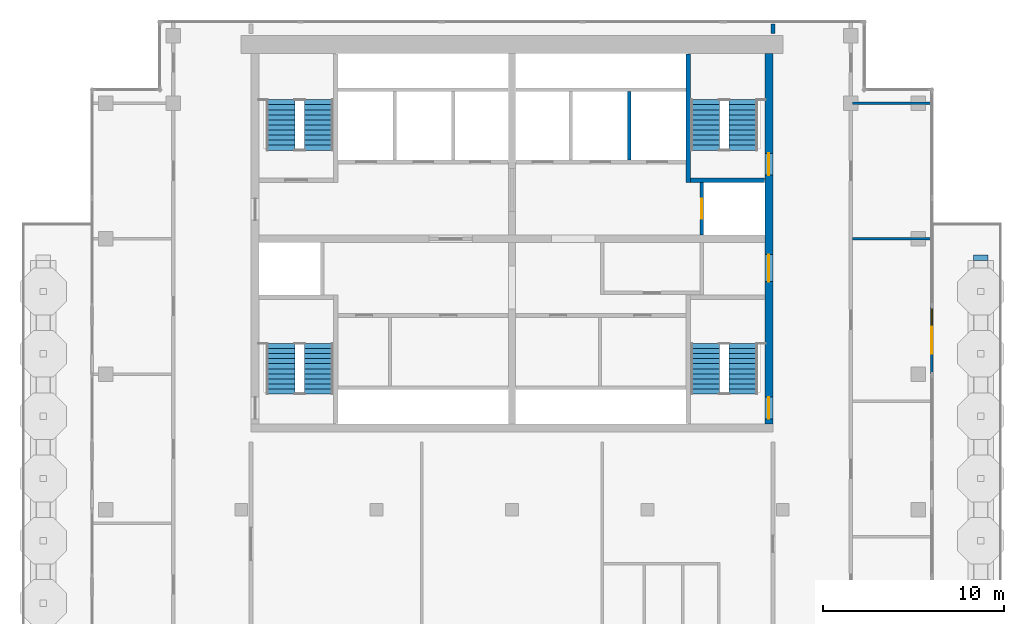
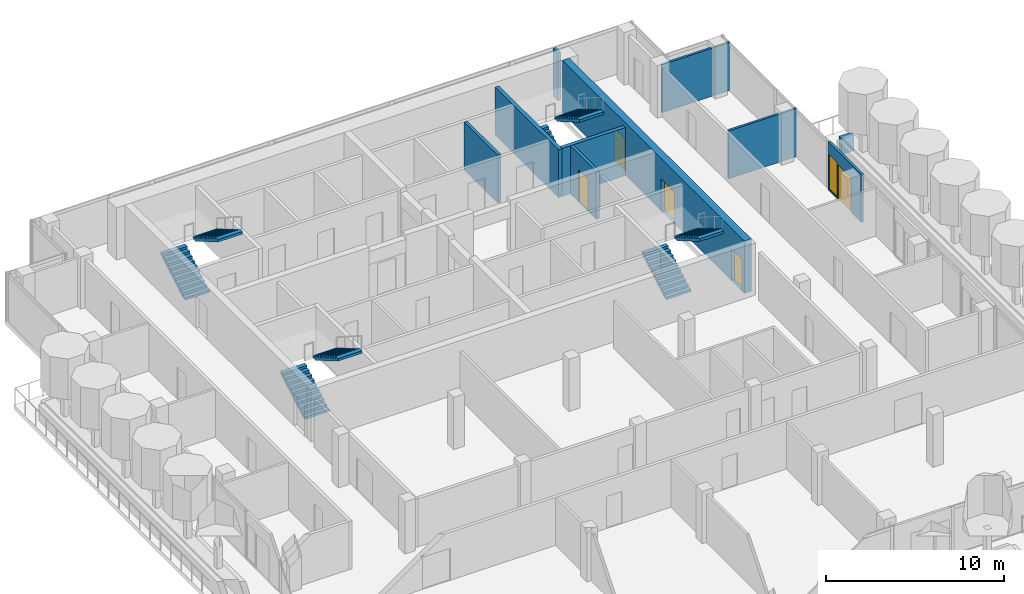
# One storey, part 9 of 12: 10 walls, 8 stair flights, 5 doors, 1 window, 6 openings, 4 elements without a shape of their own.
"""IFC4 building model written with IfcOpenShell, lengths in metres."""

from ifc_helpers import new_model, si_unit, direction, frame, frame_2d, origin, place, context, subcontext, project, spatial, polyline, rectangle, outline, extrude, material, layer, layer_set, type_object, element, fill, aggregate, save


model = new_model("IFC4")

# Units and contexts
model_context = context("Model", 3, precision=1e-05, world=origin(), true_north=direction((0.0, 1.0)))
body_context = subcontext(model_context, "Body", "Model", "MODEL_VIEW")
ifc_project = project(units=[si_unit("LENGTHUNIT", "METRE"), si_unit("AREAUNIT", "SQUARE_METRE"), si_unit("VOLUMEUNIT", "CUBIC_METRE"), si_unit("PLANEANGLEUNIT", "RADIAN"), si_unit("MASSUNIT", "GRAM", prefix="KILO")], contexts=[model_context])

# Site, building, storey
site_placement = place(None, origin())
site = spatial("IfcSite", under=ifc_project, at=site_placement, CompositionType="ELEMENT")
building_placement = place(site_placement, origin())
building = spatial("IfcBuilding", under=site, at=building_placement, Name="Pilkhan Gate Tower", CompositionType="ELEMENT")
storey_placement = place(building_placement, frame((0.0, 0.0, 258.5)))
storey = spatial("IfcBuildingStorey", under=building, at=storey_placement, Name="L67", CompositionType="ELEMENT", Elevation=258.5)

# Wall, openings, doors
ifc_material_1 = material(Name="Concrete C50/60", Category="concrete")
ifc_layer_1 = layer(ifc_material_1, 0.449951171875)
ifc_layer_set_1 = layer_set([ifc_layer_1], Name="Core wall CW450 C50/60")
wall_type_1 = type_object("IfcWallType", Name="Core wall CW450 C50/60", PredefinedType="SHEAR", material=ifc_layer_set_1)
wall_1_placement = place(storey_placement, frame((89.22509765625, 72.25, 0.0), z_axis=(0.0, 0.0, 1.0), x_axis=(0.0, 1.0, 0.0)))
wall_1 = element("IfcWall", 1, at=wall_1_placement, inside=storey, type_object=wall_type_1, Name="Core wall E L67", PredefinedType="SHEAR", context=body_context, shape_type="SweptSolid", body=[
    extrude(rectangle(XDim=20.5, YDim=0.449951171875, at=frame_2d((10.25, 0.0))), origin(), (0.0, 0.0, 1.0), 3.60009765625),
])
opening_1_placement = place(wall_1_placement, frame((0.27490234375, 0.0, 0.0)))
opening_1 = element("IfcOpeningElement", 2, at=opening_1_placement, cuts=wall_1, Name="Opening L67-03", PredefinedType="OPENING", context=body_context, shape_type="SweptSolid", body=[
    extrude(rectangle(XDim=1.199951171875, YDim=2.199951171875, at=frame_2d((0.60009765625, 1.10009765625))), frame((0.0, 0.23486328125, 0.0), z_axis=(0.0, -1.0, 0.0), x_axis=(1.0, 0.0, 0.0)), (0.0, 0.0, 1.0), 0.469970703125),
])
opening_2_placement = place(wall_1_placement, frame((13.77490234375, 0.0, 0.0)))
opening_2 = element("IfcOpeningElement", 3, at=opening_2_placement, cuts=wall_1, Name="Opening L67-05", PredefinedType="OPENING", context=body_context, shape_type="SweptSolid", body=[
    extrude(rectangle(XDim=1.199951171875, YDim=2.199951171875, at=frame_2d((0.60009765625, 1.10009765625))), frame((0.0, 0.23486328125, 0.0), z_axis=(0.0, -1.0, 0.0), x_axis=(1.0, 0.0, 0.0)), (0.0, 0.0, 1.0), 0.469970703125),
])
opening_3_placement = place(wall_1_placement, frame((7.875, 0.0, 0.0)))
opening_3 = element("IfcOpeningElement", 4, at=opening_3_placement, cuts=wall_1, Name="Opening L67-08", PredefinedType="OPENING", context=body_context, shape_type="SweptSolid", body=[
    extrude(rectangle(XDim=1.5, YDim=2.199951171875, at=frame_2d((0.75, 1.10009765625))), frame((0.0, 0.23486328125, 0.0), z_axis=(0.0, -1.0, 0.0), x_axis=(1.0, 0.0, 0.0)), (0.0, 0.0, 1.0), 0.469970703125),
])
ifc_material_2 = material(Name="Steel framed glazed door, 60 minute fire resisting", Category="steel")
door_type_1 = type_object("IfcDoorType", Name="Lobby door D09 1500x2200", OperationType="DOUBLE_DOOR_SINGLE_SWING", PredefinedType="DOOR", material=ifc_material_2)
door_1_placement = place(opening_3_placement, origin())
door_1 = element("IfcDoor", 5, at=door_1_placement, inside=storey, type_object=door_type_1, Name="Core door", OperationType="DOUBLE_DOOR_SINGLE_SWING", OverallHeight=2.199951171875, OverallWidth=1.5, PredefinedType="DOOR", context=body_context, shape_type="SweptSolid", body=[
    extrude(rectangle(XDim=1.5, YDim=2.199951171875, at=frame_2d((0.75, 1.10009765625))), frame((0.0, 0.02490234375, 0.0), z_axis=(0.0, -1.0, 0.0), x_axis=(1.0, 0.0, 0.0)), (0.0, 0.0, 1.0), 0.050048828125),
])
fill(opening_3, door_1)
ifc_material_3 = material(Name="Steel door, 120 minute fire resisting, panic bar", Category="steel")
door_type_2 = type_object("IfcDoorType", Name="Stair door D11 1200x2200", OperationType="SINGLE_SWING_LEFT", PredefinedType="DOOR", material=ifc_material_3)
door_2_placement = place(opening_1_placement, origin())
door_2 = element("IfcDoor", 6, at=door_2_placement, inside=storey, type_object=door_type_2, Name="Stair ST1 door", OperationType="SINGLE_SWING_LEFT", OverallHeight=2.199951171875, OverallWidth=1.199951171875, PredefinedType="DOOR", context=body_context, shape_type="SweptSolid", body=[
    extrude(rectangle(XDim=1.199951171875, YDim=2.199951171875, at=frame_2d((0.60009765625, 1.10009765625))), frame((0.0, 0.02490234375, 0.0), z_axis=(0.0, -1.0, 0.0), x_axis=(1.0, 0.0, 0.0)), (0.0, 0.0, 1.0), 0.050048828125),
])
fill(opening_1, door_2)
door_3_placement = place(opening_2_placement, origin())
door_3 = element("IfcDoor", 7, at=door_3_placement, inside=storey, type_object=door_type_2, Name="Stair ST4 door", OperationType="SINGLE_SWING_RIGHT", OverallHeight=2.199951171875, OverallWidth=1.199951171875, PredefinedType="DOOR", context=body_context, shape_type="SweptSolid", body=[
    extrude(rectangle(XDim=1.199951171875, YDim=2.199951171875, at=frame_2d((0.60009765625, 1.10009765625))), frame((0.0, 0.02490234375, 0.0), z_axis=(0.0, -1.0, 0.0), x_axis=(1.0, 0.0, 0.0)), (0.0, 0.0, 1.0), 0.050048828125),
])
fill(opening_2, door_3)

# Wall
ifc_material_4 = material(Name="Dense blockwork", Category="masonry")
ifc_layer_2 = layer(ifc_material_4, 0.199951171875)
ifc_layer_set_2 = layer_set([ifc_layer_2], Name="Corridor wall FW200")
wall_type_2 = type_object("IfcWallType", Name="Corridor wall FW200", PredefinedType="PARTITIONING", material=ifc_layer_set_2)
wall_2_placement = place(storey_placement, frame((89.449951171875, 93.8701171875, 0.0), z_axis=(0.0, 0.0, 1.0), x_axis=(0.0, 1.0, 0.0)))
element("IfcWall", 8, at=wall_2_placement, inside=storey, type_object=wall_type_2, Name="Partition L67", PredefinedType="PARTITIONING", context=body_context, shape_type="SweptSolid", body=[
    extrude(rectangle(XDim=0.52490234375, YDim=0.199951171875, at=frame_2d((0.262451171875, 0.0))), origin(), (0.0, 0.0, 1.0), 3.300048828125),
])

# Wall, openings, door, window
ifc_material_5 = material(Name="Pale anodised aluminium, clear laminated glazing", Category="aluminium")
ifc_layer_3 = layer(ifc_material_5, 0.14990234375)
ifc_layer_set_3 = layer_set([ifc_layer_3], Name="Facade infill wall IW150")
wall_type_3 = type_object("IfcWallType", Name="Facade infill wall IW150", PredefinedType="SOLIDWALL", material=ifc_layer_set_3)
wall_3_placement = place(storey_placement, frame((98.25, 78.75, 0.0), z_axis=(0.0, 0.0, 1.0), x_axis=(0.0, -1.0, 0.0)))
wall_3 = element("IfcWall", 9, at=wall_3_placement, inside=storey, type_object=wall_type_3, Name="Infill wall L67 E", PredefinedType="SOLIDWALL", context=body_context, shape_type="SweptSolid", body=[
    extrude(rectangle(XDim=3.75, YDim=0.14990234375, at=frame_2d((1.875, 0.0))), origin(), (0.0, 0.0, 1.0), 3.300048828125),
])
opening_4_placement = place(wall_3_placement, frame((0.112548828125, 0.0, 0.10009765625)))
opening_4 = element("IfcOpeningElement", 10, at=opening_4_placement, cuts=wall_3, Name="Opening W1", PredefinedType="OPENING", context=body_context, shape_type="SweptSolid", body=[
    extrude(rectangle(XDim=0.89990234375, YDim=2.39990234375, at=frame_2d((0.449951171875, 1.199951171875))), frame((0.0, 0.0849609375, 0.0), z_axis=(0.0, -1.0, 0.0), x_axis=(1.0, 0.0, 0.0)), (0.0, 0.0, 1.0), 0.169921875),
])
opening_5_placement = place(wall_3_placement, frame((1.125, 0.0, 0.0)))
opening_5 = element("IfcOpeningElement", 11, at=opening_5_placement, cuts=wall_3, Name="Opening D5", PredefinedType="OPENING", context=body_context, shape_type="SweptSolid", body=[
    extrude(rectangle(XDim=1.5, YDim=2.39990234375, at=frame_2d((0.75, 1.199951171875))), frame((0.0, 0.0849609375, 0.0), z_axis=(0.0, -1.0, 0.0), x_axis=(1.0, 0.0, 0.0)), (0.0, 0.0, 1.0), 0.169921875),
])
ifc_material_6 = material(Name="Pale anodised aluminium, clear glazing", Category="aluminium")
door_type_3 = type_object("IfcDoorType", Name="Terrace door D5 1500x2400", OperationType="DOUBLE_DOOR_SINGLE_SWING", PredefinedType="DOOR", material=ifc_material_6)
door_4_placement = place(opening_5_placement, origin())
door_4 = element("IfcDoor", 12, at=door_4_placement, inside=storey, type_object=door_type_3, Name="Terrace door L67", OperationType="DOUBLE_DOOR_SINGLE_SWING", OverallHeight=2.39990234375, OverallWidth=1.5, PredefinedType="DOOR", context=body_context, shape_type="SweptSolid", body=[
    extrude(rectangle(XDim=1.5, YDim=2.39990234375, at=frame_2d((0.75, 1.199951171875))), frame((0.0, 0.02490234375, 0.0), z_axis=(0.0, -1.0, 0.0), x_axis=(1.0, 0.0, 0.0)), (0.0, 0.0, 1.0), 0.050048828125),
])
fill(opening_5, door_4)
ifc_material_7 = material(Name="Pale anodised aluminium, clear double glazing", Category="aluminium")
window_type = type_object("IfcWindowType", Name="Window W1 900x2400", PartitioningType="SINGLE_PANEL", PredefinedType="WINDOW", material=ifc_material_7)
window_placement = place(opening_4_placement, origin())
window = element("IfcWindow", 13, at=window_placement, inside=storey, type_object=window_type, Name="Window L67", OverallHeight=2.39990234375, OverallWidth=0.89990234375, PartitioningType="SINGLE_PANEL", PredefinedType="WINDOW", context=body_context, shape_type="SweptSolid", body=[
    extrude(rectangle(XDim=0.89990234375, YDim=2.39990234375, at=frame_2d((0.449951171875, 1.199951171875))), frame((0.0, 0.030029296875, 0.0), z_axis=(0.0, -1.0, 0.0), x_axis=(1.0, 0.0, 0.0)), (0.0, 0.0, 1.0), 0.06005859375),
])
fill(opening_4, window)

# Walls
ifc_material_8 = material(Name="Blockwork partition, plastered both sides", Category="masonry")
ifc_layer_4 = layer(ifc_material_8, 0.14990234375)
ifc_layer_set_4 = layer_set([ifc_layer_4], Name="Partition PW150")
wall_type_4 = type_object("IfcWallType", Name="Partition PW150", PredefinedType="PARTITIONING", material=ifc_layer_set_4)
for number, where, z_axis, x_axis, name in (
    (14, (93.85009765625, 82.5, 0.0), (0.0, 0.0, 1.0), (1.0, 0.0, 0.0), "Partition L67"),
    (15, (93.85009765625, 90.0, 0.0), (0.0, 0.0, 1.0), (1.0, 0.0, 0.0), "Partition L67"),
):
    element("IfcWall", number, at=place(storey_placement, frame(where, z_axis=z_axis, x_axis=x_axis)), inside=storey, type_object=wall_type_4, Name=name, PredefinedType="PARTITIONING", context=body_context, shape_type="SweptSolid", body=[
        extrude(rectangle(XDim=4.414794921875, YDim=0.14990234375, at=frame_2d((2.20751953125, 0.0))), origin(), (0.0, 0.0, 1.0), 3.300048828125),
    ])
ifc_material_9 = material(Name="Reinforced blockwork shaft wall, 120 minute fire resisting", Category="masonry")
ifc_layer_5 = layer(ifc_material_9, 0.199951171875)
ifc_layer_set_5 = layer_set([ifc_layer_5], Name="Shaft wall SW200")
wall_type_5 = type_object("IfcWallType", Name="Shaft wall SW200", PredefinedType="PARTITIONING", material=ifc_layer_set_5)
wall_4_placement = place(storey_placement, frame((81.5, 86.85009765625, 0.0), z_axis=(0.0, 0.0, 1.0), x_axis=(0.0, 1.0, 0.0)))
element("IfcWall", 16, at=wall_4_placement, inside=storey, type_object=wall_type_5, Name="Partition L67", PredefinedType="PARTITIONING", context=body_context, shape_type="SweptSolid", body=[
    extrude(rectangle(XDim=3.7998046875, YDim=0.199951171875, at=frame_2d((1.89990234375, 0.0))), origin(), (0.0, 0.0, 1.0), 3.300048828125),
])

# Wall, opening, door
wall_5_placement = place(storey_placement, frame((85.5, 82.7099609375, 0.0), z_axis=(0.0, 0.0, 1.0), x_axis=(0.0, 1.0, 0.0)))
wall_5 = element("IfcWall", 17, at=wall_5_placement, inside=storey, type_object=wall_type_5, Name="Partition L67", PredefinedType="PARTITIONING", context=body_context, shape_type="SweptSolid", body=[
    extrude(rectangle(XDim=2.9150390625, YDim=0.199951171875, at=frame_2d((1.45751953125, 0.0))), origin(), (0.0, 0.0, 1.0), 3.300048828125),
])
opening_6_placement = place(wall_5_placement, frame((0.89990234375, 0.0, 0.0)))
opening_6 = element("IfcOpeningElement", 18, at=opening_6_placement, cuts=wall_5, Name="Opening LD", PredefinedType="OPENING", context=body_context, shape_type="SweptSolid", body=[
    extrude(rectangle(XDim=1.10009765625, YDim=2.199951171875, at=frame_2d((0.550048828125, 1.10009765625))), frame((0.0, 0.10986328125, 0.0), z_axis=(0.0, -1.0, 0.0), x_axis=(1.0, 0.0, 0.0)), (0.0, 0.0, 1.0), 0.219970703125),
])
ifc_material_10 = material(Name="Stainless steel centre-opening landing door, 120 minute fire resisting", Category="steel")
door_type_4 = type_object("IfcDoorType", Name="Lift landing door LD 1100x2200", OperationType="DOUBLE_DOOR_SLIDING", PredefinedType="DOOR", material=ifc_material_10)
door_5_placement = place(opening_6_placement, origin())
door_5 = element("IfcDoor", 19, at=door_5_placement, inside=storey, type_object=door_type_4, Name="Landing door HR4", OperationType="DOUBLE_DOOR_SLIDING", OverallHeight=2.199951171875, OverallWidth=1.10009765625, PredefinedType="DOOR", context=body_context, shape_type="SweptSolid", body=[
    extrude(rectangle(XDim=1.10009765625, YDim=2.199951171875, at=frame_2d((0.550048828125, 1.10009765625))), frame((0.0, 0.02490234375, 0.0), z_axis=(0.0, -1.0, 0.0), x_axis=(1.0, 0.0, 0.0)), (0.0, 0.0, 1.0), 0.050048828125),
])
fill(opening_6, door_5)

# Walls
ifc_material_11 = material(Name="Reinforced blockwork, 120 minute fire resisting", Category="masonry")
ifc_layer_6 = layer(ifc_material_11, 0.25)
ifc_layer_set_6 = layer_set([ifc_layer_6], Name="Stair enclosure wall SE250")
wall_type_6 = type_object("IfcWallType", Name="Stair enclosure wall SE250", PredefinedType="PARTITIONING", material=ifc_layer_set_6)
wall_6_placement = place(storey_placement, frame((84.875, 85.75, 0.0), z_axis=(0.0, 0.0, 1.0), x_axis=(1.0, 0.0, 0.0)))
element("IfcWall", 20, at=wall_6_placement, inside=storey, type_object=wall_type_6, Name="Partition L67", PredefinedType="PARTITIONING", context=body_context, shape_type="SweptSolid", body=[
    extrude(rectangle(XDim=4.114990234375, YDim=0.25, at=frame_2d((2.0576171875, 0.0))), origin(), (0.0, 0.0, 1.0), 3.300048828125),
])
wall_7_placement = place(storey_placement, frame((84.75, 85.625, 0.0), z_axis=(0.0, 0.0, 1.0), x_axis=(0.0, 1.0, 0.0)))
element("IfcWall", 21, at=wall_7_placement, inside=storey, type_object=wall_type_6, Name="Partition L67", PredefinedType="PARTITIONING", context=body_context, shape_type="SweptSolid", body=[
    extrude(rectangle(XDim=7.114990234375, YDim=0.25, at=frame_2d((3.5576171875, 0.0))), origin(), (0.0, 0.0, 1.0), 3.300048828125),
])
ifc_material_12 = material(Name="Concrete C40/50", Category="concrete")
ifc_layer_7 = layer(ifc_material_12, 0.300048828125)
ifc_layer_set_7 = layer_set([ifc_layer_7], Name="Terrace planter TP800")
wall_type_7 = type_object("IfcWallType", Name="Terrace planter TP800", PredefinedType="USERDEFINED", material=ifc_layer_set_7)
wall_8_placement = place(storey_placement, frame((100.550048828125, 81.449951171875, 0.0), z_axis=(0.0, 0.0, 1.0), x_axis=(1.0, 0.0, 0.0)))
element("IfcWall", 22, at=wall_8_placement, inside=storey, type_object=wall_type_7, Name="Terrace planter L67", ObjectType="TERRACE PLANTER", PredefinedType="USERDEFINED", context=body_context, shape_type="SweptSolid", body=[
    extrude(rectangle(XDim=0.800048828125, YDim=0.300048828125, at=frame_2d((0.39990234375, 0.0))), origin(), (0.0, 0.0, 1.0), 1.10009765625),
])

# Stair, stair flights
ifc_material_13 = material(Name="Concrete C40/50 precast", Category="concrete")
stair_type_1 = type_object("IfcStairType", Name="Stair ST1 164x280", PredefinedType="HALF_TURN_STAIR", material=ifc_material_13)
stair_1_placement = place(storey_placement, origin())
stair_1 = element("IfcStair", 23, at=stair_1_placement, inside=storey, type_object=stair_type_1, Name="Stair ST1 L67", PredefinedType="HALF_TURN_STAIR")
stair_flight_type_1 = type_object("IfcStairFlightType", Name="Stair flight ST1 164x280x11", PredefinedType="STRAIGHT", material=ifc_material_13)
stair_flight_1_placement = place(storey_placement, frame((85.68994140625, 73.89990234375, 0.0), z_axis=(0.0, 0.0, 1.0), x_axis=(0.0, 1.0, 0.0)))
stair_flight_1 = element("IfcStairFlight", 24, at=stair_flight_1_placement, type_object=stair_flight_type_1, Name="ST1 flight 1", NumberOfRisers=11, NumberOfTreads=10, PredefinedType="STRAIGHT", RiserHeight=0.163636364, TreadLength=0.28, context=body_context, shape_type="SweptSolid", body=[
    extrude(outline(polyline([(0.0, 0.0), (0.0, 0.16357421875), (0.280029296875, 0.16357421875), (0.280029296875, 0.327392578125), (0.56005859375, 0.327392578125), (0.56005859375, 0.490966796875), (0.840087890625, 0.490966796875), (0.840087890625, 0.654541015625), (1.1201171875, 0.654541015625), (1.1201171875, 0.818115234375), (1.39990234375, 0.818115234375), (1.39990234375, 0.98193359375), (1.679931640625, 0.98193359375), (1.679931640625, 1.1455078125), (1.9599609375, 1.1455078125), (1.9599609375, 1.30908203125), (2.239990234375, 1.30908203125), (2.239990234375, 1.47265625), (2.52001953125, 1.47265625), (2.52001953125, 1.636474609375), (2.800048828125, 1.636474609375), (2.800048828125, 1.800048828125), (2.800048828125, 1.462646484375), (0.297119140625, 0.0), (0.0, 0.0)])), frame((0.0, 0.7900390625, 0.0), z_axis=(0.0, -1.0, 0.0), x_axis=(1.0, 0.0, 0.0)), (0.0, 0.0, 1.0), 1.580078125),
])
stair_flight_2_placement = place(storey_placement, frame((87.81005859375, 76.699951171875, 1.800048828125), z_axis=(0.0, 0.0, 1.0), x_axis=(0.0, -1.0, 0.0)))
stair_flight_2 = element("IfcStairFlight", 25, at=stair_flight_2_placement, type_object=stair_flight_type_1, Name="ST1 flight 2", NumberOfRisers=11, NumberOfTreads=10, PredefinedType="STRAIGHT", RiserHeight=0.163636364, TreadLength=0.28, context=body_context, shape_type="SweptSolid", body=[
    extrude(outline(polyline([(0.0, 0.0), (0.0, 0.16357421875), (0.280029296875, 0.16357421875), (0.280029296875, 0.327392578125), (0.56005859375, 0.327392578125), (0.56005859375, 0.490966796875), (0.840087890625, 0.490966796875), (0.840087890625, 0.654541015625), (1.1201171875, 0.654541015625), (1.1201171875, 0.818115234375), (1.39990234375, 0.818115234375), (1.39990234375, 0.98193359375), (1.679931640625, 0.98193359375), (1.679931640625, 1.1455078125), (1.9599609375, 1.1455078125), (1.9599609375, 1.30908203125), (2.239990234375, 1.30908203125), (2.239990234375, 1.47265625), (2.52001953125, 1.47265625), (2.52001953125, 1.636474609375), (2.800048828125, 1.636474609375), (2.800048828125, 1.800048828125), (2.800048828125, 1.462646484375), (0.297119140625, 0.0), (0.0, 0.0)])), frame((0.0, 0.7900390625, 0.0), z_axis=(0.0, -1.0, 0.0), x_axis=(1.0, 0.0, 0.0)), (0.0, 0.0, 1.0), 1.580078125),
])
aggregate(stair_1, [stair_flight_1, stair_flight_2])

stair_type_2 = type_object("IfcStairType", Name="Stair ST2 164x280", PredefinedType="HALF_TURN_STAIR", material=ifc_material_13)
stair_2_placement = place(storey_placement, origin())
stair_2 = element("IfcStair", 26, at=stair_2_placement, inside=storey, type_object=stair_type_2, Name="Stair ST2 L67", PredefinedType="HALF_TURN_STAIR")
stair_flight_type_2 = type_object("IfcStairFlightType", Name="Stair flight ST2 164x280x11", PredefinedType="STRAIGHT", material=ifc_material_13)
stair_flight_3_placement = place(storey_placement, frame((62.18994140625, 73.89990234375, 0.0), z_axis=(0.0, 0.0, 1.0), x_axis=(0.0, 1.0, 0.0)))
stair_flight_3 = element("IfcStairFlight", 27, at=stair_flight_3_placement, type_object=stair_flight_type_2, Name="ST2 flight 1", NumberOfRisers=11, NumberOfTreads=10, PredefinedType="STRAIGHT", RiserHeight=0.163636364, TreadLength=0.28, context=body_context, shape_type="SweptSolid", body=[
    extrude(outline(polyline([(0.0, 0.0), (0.0, 0.16357421875), (0.280029296875, 0.16357421875), (0.280029296875, 0.327392578125), (0.56005859375, 0.327392578125), (0.56005859375, 0.490966796875), (0.840087890625, 0.490966796875), (0.840087890625, 0.654541015625), (1.1201171875, 0.654541015625), (1.1201171875, 0.818115234375), (1.39990234375, 0.818115234375), (1.39990234375, 0.98193359375), (1.679931640625, 0.98193359375), (1.679931640625, 1.1455078125), (1.9599609375, 1.1455078125), (1.9599609375, 1.30908203125), (2.239990234375, 1.30908203125), (2.239990234375, 1.47265625), (2.52001953125, 1.47265625), (2.52001953125, 1.636474609375), (2.800048828125, 1.636474609375), (2.800048828125, 1.800048828125), (2.800048828125, 1.462646484375), (0.297119140625, 0.0), (0.0, 0.0)])), frame((0.0, 0.7900390625, 0.0), z_axis=(0.0, -1.0, 0.0), x_axis=(1.0, 0.0, 0.0)), (0.0, 0.0, 1.0), 1.580078125),
])
stair_flight_4_placement = place(storey_placement, frame((64.31005859375, 76.699951171875, 1.800048828125), z_axis=(0.0, 0.0, 1.0), x_axis=(0.0, -1.0, 0.0)))
stair_flight_4 = element("IfcStairFlight", 28, at=stair_flight_4_placement, type_object=stair_flight_type_2, Name="ST2 flight 2", NumberOfRisers=11, NumberOfTreads=10, PredefinedType="STRAIGHT", RiserHeight=0.163636364, TreadLength=0.28, context=body_context, shape_type="SweptSolid", body=[
    extrude(outline(polyline([(0.0, 0.0), (0.0, 0.16357421875), (0.280029296875, 0.16357421875), (0.280029296875, 0.327392578125), (0.56005859375, 0.327392578125), (0.56005859375, 0.490966796875), (0.840087890625, 0.490966796875), (0.840087890625, 0.654541015625), (1.1201171875, 0.654541015625), (1.1201171875, 0.818115234375), (1.39990234375, 0.818115234375), (1.39990234375, 0.98193359375), (1.679931640625, 0.98193359375), (1.679931640625, 1.1455078125), (1.9599609375, 1.1455078125), (1.9599609375, 1.30908203125), (2.239990234375, 1.30908203125), (2.239990234375, 1.47265625), (2.52001953125, 1.47265625), (2.52001953125, 1.636474609375), (2.800048828125, 1.636474609375), (2.800048828125, 1.800048828125), (2.800048828125, 1.462646484375), (0.297119140625, 0.0), (0.0, 0.0)])), frame((0.0, 0.7900390625, 0.0), z_axis=(0.0, -1.0, 0.0), x_axis=(1.0, 0.0, 0.0)), (0.0, 0.0, 1.0), 1.580078125),
])
aggregate(stair_2, [stair_flight_3, stair_flight_4])

stair_type_3 = type_object("IfcStairType", Name="Stair ST3 164x280", PredefinedType="HALF_TURN_STAIR", material=ifc_material_13)
stair_3_placement = place(storey_placement, origin())
stair_3 = element("IfcStair", 29, at=stair_3_placement, inside=storey, type_object=stair_type_3, Name="Stair ST3 L67", PredefinedType="HALF_TURN_STAIR")
stair_flight_type_3 = type_object("IfcStairFlightType", Name="Stair flight ST3 164x280x11", PredefinedType="STRAIGHT", material=ifc_material_13)
stair_flight_5_placement = place(storey_placement, frame((62.18994140625, 87.39990234375, 0.0), z_axis=(0.0, 0.0, 1.0), x_axis=(0.0, 1.0, 0.0)))
stair_flight_5 = element("IfcStairFlight", 30, at=stair_flight_5_placement, type_object=stair_flight_type_3, Name="ST3 flight 1", NumberOfRisers=11, NumberOfTreads=10, PredefinedType="STRAIGHT", RiserHeight=0.163636364, TreadLength=0.28, context=body_context, shape_type="SweptSolid", body=[
    extrude(outline(polyline([(0.0, 0.0), (0.0, 0.16357421875), (0.280029296875, 0.16357421875), (0.280029296875, 0.327392578125), (0.56005859375, 0.327392578125), (0.56005859375, 0.490966796875), (0.840087890625, 0.490966796875), (0.840087890625, 0.654541015625), (1.1201171875, 0.654541015625), (1.1201171875, 0.818115234375), (1.39990234375, 0.818115234375), (1.39990234375, 0.98193359375), (1.679931640625, 0.98193359375), (1.679931640625, 1.1455078125), (1.9599609375, 1.1455078125), (1.9599609375, 1.30908203125), (2.239990234375, 1.30908203125), (2.239990234375, 1.47265625), (2.52001953125, 1.47265625), (2.52001953125, 1.636474609375), (2.800048828125, 1.636474609375), (2.800048828125, 1.800048828125), (2.800048828125, 1.462646484375), (0.297119140625, 0.0), (0.0, 0.0)])), frame((0.0, 0.7900390625, 0.0), z_axis=(0.0, -1.0, 0.0), x_axis=(1.0, 0.0, 0.0)), (0.0, 0.0, 1.0), 1.580078125),
])
stair_flight_6_placement = place(storey_placement, frame((64.31005859375, 90.199951171875, 1.800048828125), z_axis=(0.0, 0.0, 1.0), x_axis=(0.0, -1.0, 0.0)))
stair_flight_6 = element("IfcStairFlight", 31, at=stair_flight_6_placement, type_object=stair_flight_type_3, Name="ST3 flight 2", NumberOfRisers=11, NumberOfTreads=10, PredefinedType="STRAIGHT", RiserHeight=0.163636364, TreadLength=0.28, context=body_context, shape_type="SweptSolid", body=[
    extrude(outline(polyline([(0.0, 0.0), (0.0, 0.16357421875), (0.280029296875, 0.16357421875), (0.280029296875, 0.327392578125), (0.56005859375, 0.327392578125), (0.56005859375, 0.490966796875), (0.840087890625, 0.490966796875), (0.840087890625, 0.654541015625), (1.1201171875, 0.654541015625), (1.1201171875, 0.818115234375), (1.39990234375, 0.818115234375), (1.39990234375, 0.98193359375), (1.679931640625, 0.98193359375), (1.679931640625, 1.1455078125), (1.9599609375, 1.1455078125), (1.9599609375, 1.30908203125), (2.239990234375, 1.30908203125), (2.239990234375, 1.47265625), (2.52001953125, 1.47265625), (2.52001953125, 1.636474609375), (2.800048828125, 1.636474609375), (2.800048828125, 1.800048828125), (2.800048828125, 1.462646484375), (0.297119140625, 0.0), (0.0, 0.0)])), frame((0.0, 0.7900390625, 0.0), z_axis=(0.0, -1.0, 0.0), x_axis=(1.0, 0.0, 0.0)), (0.0, 0.0, 1.0), 1.580078125),
])
aggregate(stair_3, [stair_flight_5, stair_flight_6])

stair_type_4 = type_object("IfcStairType", Name="Stair ST4 164x280", PredefinedType="HALF_TURN_STAIR", material=ifc_material_13)
stair_4_placement = place(storey_placement, origin())
stair_4 = element("IfcStair", 32, at=stair_4_placement, inside=storey, type_object=stair_type_4, Name="Stair ST4 L67", PredefinedType="HALF_TURN_STAIR")
stair_flight_type_4 = type_object("IfcStairFlightType", Name="Stair flight ST4 164x280x11", PredefinedType="STRAIGHT", material=ifc_material_13)
stair_flight_7_placement = place(storey_placement, frame((85.68994140625, 87.39990234375, 0.0), z_axis=(0.0, 0.0, 1.0), x_axis=(0.0, 1.0, 0.0)))
stair_flight_7 = element("IfcStairFlight", 33, at=stair_flight_7_placement, type_object=stair_flight_type_4, Name="ST4 flight 1", NumberOfRisers=11, NumberOfTreads=10, PredefinedType="STRAIGHT", RiserHeight=0.163636364, TreadLength=0.28, context=body_context, shape_type="SweptSolid", body=[
    extrude(outline(polyline([(0.0, 0.0), (0.0, 0.16357421875), (0.280029296875, 0.16357421875), (0.280029296875, 0.327392578125), (0.56005859375, 0.327392578125), (0.56005859375, 0.490966796875), (0.840087890625, 0.490966796875), (0.840087890625, 0.654541015625), (1.1201171875, 0.654541015625), (1.1201171875, 0.818115234375), (1.39990234375, 0.818115234375), (1.39990234375, 0.98193359375), (1.679931640625, 0.98193359375), (1.679931640625, 1.1455078125), (1.9599609375, 1.1455078125), (1.9599609375, 1.30908203125), (2.239990234375, 1.30908203125), (2.239990234375, 1.47265625), (2.52001953125, 1.47265625), (2.52001953125, 1.636474609375), (2.800048828125, 1.636474609375), (2.800048828125, 1.800048828125), (2.800048828125, 1.462646484375), (0.297119140625, 0.0), (0.0, 0.0)])), frame((0.0, 0.7900390625, 0.0), z_axis=(0.0, -1.0, 0.0), x_axis=(1.0, 0.0, 0.0)), (0.0, 0.0, 1.0), 1.580078125),
])
stair_flight_8_placement = place(storey_placement, frame((87.81005859375, 90.199951171875, 1.800048828125), z_axis=(0.0, 0.0, 1.0), x_axis=(0.0, -1.0, 0.0)))
stair_flight_8 = element("IfcStairFlight", 34, at=stair_flight_8_placement, type_object=stair_flight_type_4, Name="ST4 flight 2", NumberOfRisers=11, NumberOfTreads=10, PredefinedType="STRAIGHT", RiserHeight=0.163636364, TreadLength=0.28, context=body_context, shape_type="SweptSolid", body=[
    extrude(outline(polyline([(0.0, 0.0), (0.0, 0.16357421875), (0.280029296875, 0.16357421875), (0.280029296875, 0.327392578125), (0.56005859375, 0.327392578125), (0.56005859375, 0.490966796875), (0.840087890625, 0.490966796875), (0.840087890625, 0.654541015625), (1.1201171875, 0.654541015625), (1.1201171875, 0.818115234375), (1.39990234375, 0.818115234375), (1.39990234375, 0.98193359375), (1.679931640625, 0.98193359375), (1.679931640625, 1.1455078125), (1.9599609375, 1.1455078125), (1.9599609375, 1.30908203125), (2.239990234375, 1.30908203125), (2.239990234375, 1.47265625), (2.52001953125, 1.47265625), (2.52001953125, 1.636474609375), (2.800048828125, 1.636474609375), (2.800048828125, 1.800048828125), (2.800048828125, 1.462646484375), (0.297119140625, 0.0), (0.0, 0.0)])), frame((0.0, 0.7900390625, 0.0), z_axis=(0.0, -1.0, 0.0), x_axis=(1.0, 0.0, 0.0)), (0.0, 0.0, 1.0), 1.580078125),
])
aggregate(stair_4, [stair_flight_7, stair_flight_8])

save(model, "model.ifc")
